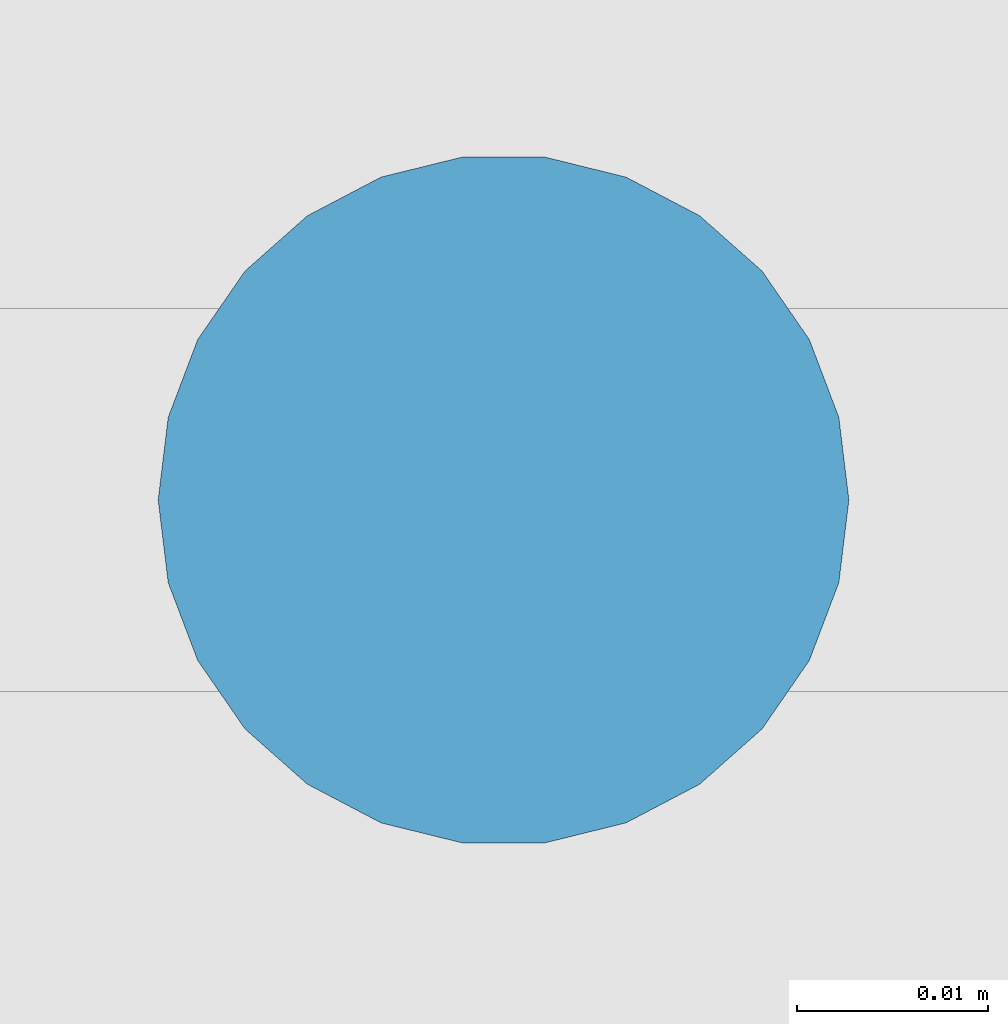
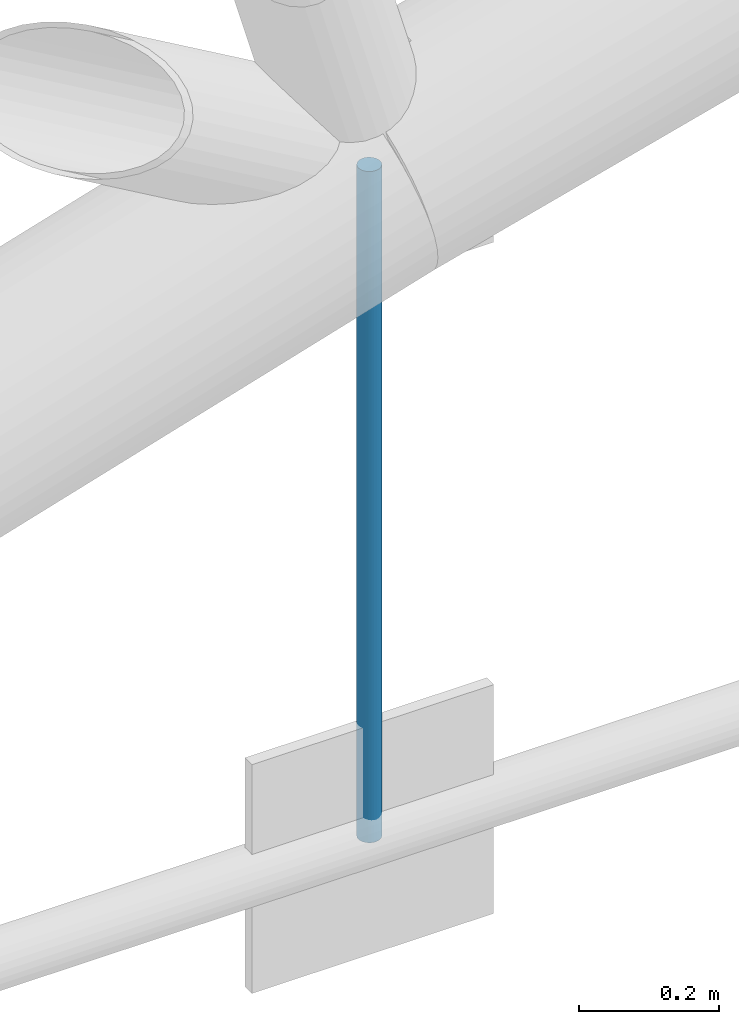
# One storey, part 58 of 321: 1 member.
"""IFC4 building model written with IfcOpenShell, lengths in metres."""

from ifc_helpers import new_model, si_unit, direction, frame, origin, origin_2d, place, context, subcontext, project, spatial, circle, extrude, material, material_profile, profile_set, type_object, element, save


model = new_model("IFC4")

# Units and contexts
model_context = context("Model", 3, precision=1e-05, world=origin(), true_north=direction((0.0, 1.0)))
body_context = subcontext(model_context, "Body", "Model", "MODEL_VIEW")
ifc_project = project(units=[si_unit("LENGTHUNIT", "METRE"), si_unit("AREAUNIT", "SQUARE_METRE"), si_unit("VOLUMEUNIT", "CUBIC_METRE"), si_unit("PLANEANGLEUNIT", "RADIAN"), si_unit("MASSUNIT", "GRAM", prefix="KILO")], contexts=[model_context])

# Site, building, storey
site_placement = place(None, origin())
site = spatial("IfcSite", under=ifc_project, at=site_placement, CompositionType="ELEMENT")
building_placement = place(site_placement, origin())
building = spatial("IfcBuilding", under=site, at=building_placement, Name="Ravi Spectrum Wholesale Market", CompositionType="ELEMENT")
storey_placement = place(building_placement, frame((0.0, 0.0, 10.800048828125)))
storey = spatial("IfcBuildingStorey", under=building, at=storey_placement, Name="L02", CompositionType="ELEMENT", Elevation=10.800048828125)

# Member
ifc_material = material(Name="Steel S355", Category="steel")
ifc_material_profile = material_profile(ifc_material, circle(Radius=0.01806640625, at=origin_2d()))
ifc_profile_set = profile_set([ifc_material_profile], Name="Steel S355")
member_type = type_object("IfcMemberType", Name="ROD 36 hanger", PredefinedType="STRUT", material=ifc_profile_set)
member_placement = place(storey_placement, frame((43.88427734375, 102.0, 0.0), z_axis=(0.0, 0.0, 1.0), x_axis=(1.0, 0.0, 0.0)))
element("IfcMember", 1, at=member_placement, inside=storey, type_object=member_type, Name="H1-MB-L02-581", PredefinedType="STRUT", context=body_context, shape_type="SweptSolid", body=[
    extrude(circle(Radius=0.01806640625, at=origin_2d()), origin(), (0.0, 0.0, 1.0), 1.173095703125),
])

save(model, "model.ifc")
